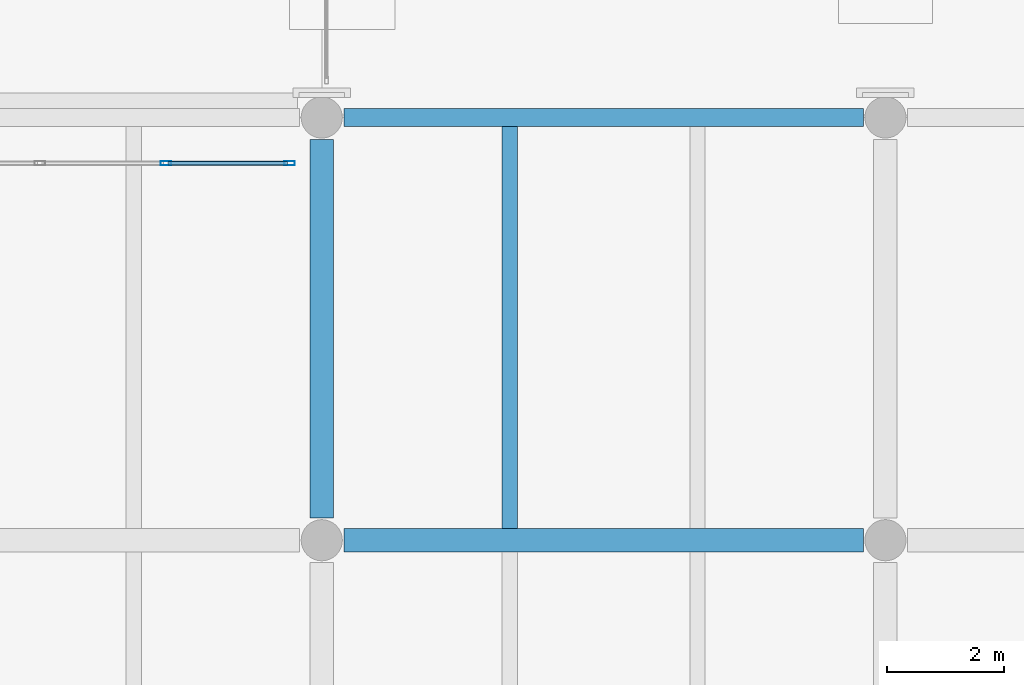
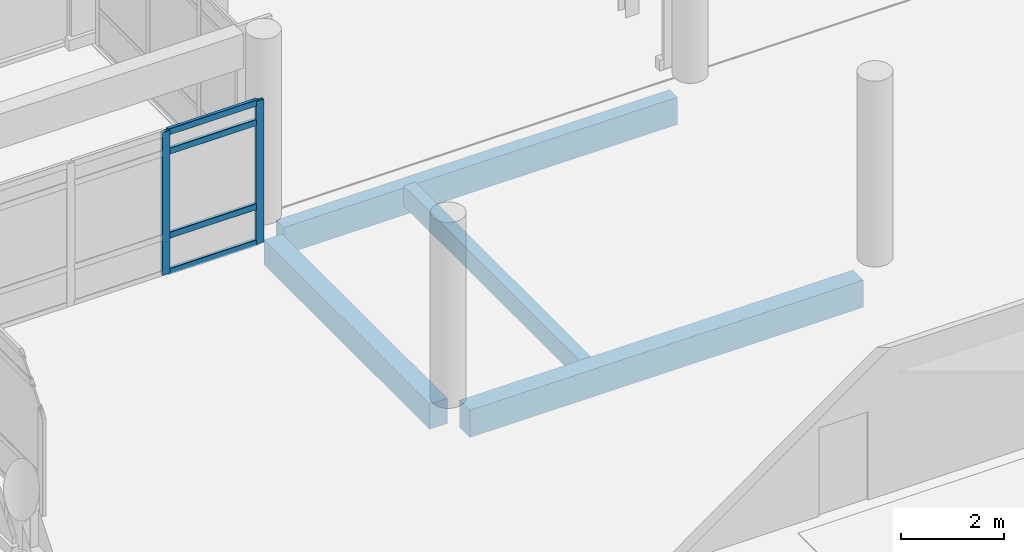
# One storey, part 55 of 196: 6 members, 4 beams, 1 element without a shape of its own.
"""IFC4 building model written with IfcOpenShell, lengths in metres."""

import ifcopenshell
import ifcopenshell.guid

model = None  # the IFC model being written
_history = None  # IfcOwnerHistory: only IFC2X3 demands one
_inside = {}  # id of a spatial element -> (the spatial element, [elements in it])
_under = {}  # id of a project, library or spatial element -> (it, [spatial elements below it])
_declared = {}  # id of a project -> (the project, [libraries it declares])
_typed = {}  # id of a type object -> (the type object, [elements of that type])
_made_of = {}  # id of a material, layer set ... -> (it, [elements and type objects made of it])


def new_model(schema):
    """Start an empty IFC model of exactly this schema.

    Asked for "IFC4X3", IfcOpenShell would pick the latest addendum, in which some entities
    have other attributes; the version numbers below select the first issue.
    IFC2X3 requires an IfcOwnerHistory on every rooted entity: one is made here for all.
    """
    global model, _history
    if schema == "IFC4X3":
        model = ifcopenshell.file(schema_version=(4, 3, 0, 0))
    else:
        model = ifcopenshell.file(schema=schema)
    _inside.clear()
    _under.clear()
    _declared.clear()
    _typed.clear()
    _made_of.clear()
    _history = None
    if model.schema == "IFC2X3":
        org = make("IfcOrganization", Name="unknown")
        user = make(
            "IfcPersonAndOrganization",
            ThePerson=make("IfcPerson", FamilyName="unknown"),
            TheOrganization=org,
        )
        app = make(
            "IfcApplication",
            ApplicationDeveloper=org,
            Version="unknown",
            ApplicationFullName="unknown",
            ApplicationIdentifier="unknown",
        )
        _history = make(
            "IfcOwnerHistory",
            OwningUser=user,
            OwningApplication=app,
            ChangeAction="ADDED",
            CreationDate=0,
        )
    return model


def make(cls, **values):
    """One entity of the class cls with the attributes given. An attribute that is None is left unset."""
    return model.create_entity(
        cls, **{name: value for name, value in values.items() if value is not None}
    )


def rooted(cls, **values):
    """An entity with a GlobalId (a new one), such as an element, a storey or a relation."""
    return make(cls, GlobalId=ifcopenshell.guid.new(), OwnerHistory=_history, **values)


def si_unit(unit_type, name, prefix=None):
    """IfcSIUnit, for example si_unit("LENGTHUNIT", "METRE", prefix="MILLI")."""
    return make("IfcSIUnit", UnitType=unit_type, Prefix=prefix, Name=name)


def assignment(units):
    """IfcUnitAssignment: the units of a project."""
    return None if units is None else make("IfcUnitAssignment", Units=units)


def point(xyz):
    """IfcCartesianPoint."""
    return None if xyz is None else make("IfcCartesianPoint", Coordinates=xyz)


def direction(xyz):
    """IfcDirection."""
    return None if xyz is None else make("IfcDirection", DirectionRatios=xyz)


def frame(location, z_axis=None, x_axis=None):
    """IfcAxis2Placement3D, a coordinate frame: its origin and axes. An axis left out is left unset."""
    return make(
        "IfcAxis2Placement3D",
        Location=point(location),
        Axis=direction(z_axis),
        RefDirection=direction(x_axis),
    )


def frame_2d(location, x_axis=None):
    """IfcAxis2Placement2D, a coordinate frame in the plane: its origin and x axis."""
    return make(
        "IfcAxis2Placement2D", Location=point(location), RefDirection=direction(x_axis)
    )


def origin():
    """The frame at (0, 0, 0) with its axes left unset."""
    return frame((0.0, 0.0, 0.0))


def origin_2d():
    """The frame at (0, 0) in the plane with its x axis left unset."""
    return frame_2d((0.0, 0.0))


def place(relative_to, where):
    """IfcLocalPlacement: puts the frame where relative to a parent placement (None: the world)."""
    return make(
        "IfcLocalPlacement", PlacementRelTo=relative_to, RelativePlacement=where
    )


def context(
    kind, dimensions, precision=None, world=None, true_north=None, identifier=None
):
    """IfcGeometricRepresentationContext, for example the 3D "Model" context."""
    return make(
        "IfcGeometricRepresentationContext",
        ContextIdentifier=identifier,
        ContextType=kind,
        CoordinateSpaceDimension=dimensions,
        Precision=precision,
        WorldCoordinateSystem=world,
        TrueNorth=true_north,
    )


def subcontext(parent, identifier, kind, view, scale=None):
    """IfcGeometricRepresentationSubContext, for example "Body" below "Model"."""
    return make(
        "IfcGeometricRepresentationSubContext",
        ContextIdentifier=identifier,
        ContextType=kind,
        ParentContext=parent,
        TargetScale=scale,
        TargetView=view,
    )


def project(units=None, contexts=None):
    """IfcProject with its units and contexts."""
    return rooted(
        "IfcProject",
        Name="project",
        RepresentationContexts=contexts,
        UnitsInContext=assignment(units),
    )


def spatial(cls, under=None, at=None, **own):
    """A site, building, storey or space (cls), placed at a placement, below another one or the project."""
    s = rooted(cls, ObjectPlacement=at, **own)
    if under is not None:
        _under.setdefault(under.id(), (under, []))[1].append(s)
    return s


def profile(cls, at=None, kind="AREA", **sizes):
    """A parametric profile (cls). Its sizes go by their IFC names, for example OverallWidth=200.0."""
    return make(cls, ProfileType=kind, Position=at, **sizes)


def rectangle(**sizes):
    """IfcRectangleProfileDef."""
    return profile("IfcRectangleProfileDef", **sizes)


def hollow_rectangle(**sizes):
    """IfcRectangleHollowProfileDef."""
    return profile("IfcRectangleHollowProfileDef", **sizes)


def extrude(swept, where, along, depth):
    """IfcExtrudedAreaSolid: the profile swept, set in the frame where, extruded along a direction by depth."""
    return make(
        "IfcExtrudedAreaSolid",
        SweptArea=swept,
        Position=where,
        ExtrudedDirection=direction(along),
        Depth=depth,
    )


def shape(context_of_items, identifier, shape_type, items):
    """IfcShapeRepresentation: the items that make up one representation, for example the "Body"."""
    return make(
        "IfcShapeRepresentation",
        ContextOfItems=context_of_items,
        RepresentationIdentifier=identifier,
        RepresentationType=shape_type,
        Items=items,
    )


def material(Name=None, Category=None):
    """IfcMaterial."""
    return make("IfcMaterial", Name=Name, Category=Category)


def layer(
    of_material, thickness, ventilated=None, Name=None, Category=None, Priority=None
):
    """IfcMaterialLayer: one layer of a wall or slab, of a material (None: an air gap)."""
    return make(
        "IfcMaterialLayer",
        Material=of_material,
        LayerThickness=thickness,
        IsVentilated=ventilated,
        Name=Name,
        Category=Category,
        Priority=Priority,
    )


def layer_set(layers, Name=None):
    """IfcMaterialLayerSet."""
    return make("IfcMaterialLayerSet", MaterialLayers=layers, LayerSetName=Name)


def material_profile(
    of_material, cross_section, Name=None, Category=None, Priority=None
):
    """IfcMaterialProfile: a cross section and its material."""
    return make(
        "IfcMaterialProfile",
        Name=Name,
        Material=of_material,
        Profile=cross_section,
        Priority=Priority,
        Category=Category,
    )


def profile_set(profiles, Name=None, composite=None):
    """IfcMaterialProfileSet."""
    return make(
        "IfcMaterialProfileSet",
        Name=Name,
        MaterialProfiles=profiles,
        CompositeProfile=composite,
    )


def made_of(thing, what):
    """Note that an element or type object is made of a material, layer set ...; save() writes the relation."""
    if what is not None:
        _made_of.setdefault(what.id(), (what, []))[1].append(thing)
    return thing


def type_object(cls, material=None, **own):
    """A type object (cls), such as IfcWallType, which elements share."""
    return made_of(rooted(cls, **own), material)


def element(
    cls,
    number,
    at=None,
    inside=None,
    cuts=None,
    type_object=None,
    material=None,
    context=None,
    identifier="Body",
    shape_type=None,
    held_by="IfcProductDefinitionShape",
    body=None,
    shapes=None,
    **own,
):
    """One element of the class cls, such as IfcWall. Its Tag is "e" and its number.

    at: its placement. inside: the storey or other place that contains it. cuts: it is an
    opening in that element (IfcRelVoidsElement). A single representation is given by context,
    identifier, shape_type and body (its items); several are given by shapes. held_by: the class
    of the entity that holds the representations. save() writes the other relations.
    """
    e = rooted(cls, Tag="e%d" % number, ObjectPlacement=at, **own)
    if body is not None:
        shapes = [shape(context, identifier, shape_type, body)]
    if shapes is not None:
        e.Representation = make(held_by, Representations=shapes)
    if inside is not None:
        _inside.setdefault(inside.id(), (inside, []))[1].append(e)
    if cuts is not None:
        rooted(
            "IfcRelVoidsElement", RelatingBuildingElement=cuts, RelatedOpeningElement=e
        )
    if type_object is not None:
        _typed.setdefault(type_object.id(), (type_object, []))[1].append(e)
    return made_of(e, material)


def aggregate(whole, parts):
    """IfcRelAggregates: a whole, such as a stair, and the parts it consists of."""
    return rooted("IfcRelAggregates", RelatingObject=whole, RelatedObjects=parts)


def save(model, path):
    """Write the relations noted so far, then the file.

    IfcRelAggregates (storeys below a building ...), IfcRelContainedInSpatialStructure (elements
    in a storey), IfcRelDefinesByType, IfcRelAssociatesMaterial and IfcRelDeclares: one each for
    every whole, place, type object, material and project.
    """
    for whole, parts in _under.values():
        aggregate(whole, parts)
    for where, things in _inside.values():
        rooted(
            "IfcRelContainedInSpatialStructure",
            RelatedElements=things,
            RelatingStructure=where,
        )
    for kind, things in _typed.values():
        rooted("IfcRelDefinesByType", RelatedObjects=things, RelatingType=kind)
    for what, things in _made_of.values():
        rooted("IfcRelAssociatesMaterial", RelatedObjects=things, RelatingMaterial=what)
    for by, libraries in _declared.values():
        rooted("IfcRelDeclares", RelatingContext=by, RelatedDefinitions=libraries)
    model.write(path)


model = new_model("IFC4")

# Units and contexts
model_context = context("Model", 3, precision=1e-05, world=origin(), true_north=direction((0.0, 1.0)))
body_context = subcontext(model_context, "Body", "Model", "MODEL_VIEW")
ifc_project = project(units=[si_unit("LENGTHUNIT", "METRE"), si_unit("AREAUNIT", "SQUARE_METRE"), si_unit("VOLUMEUNIT", "CUBIC_METRE"), si_unit("PLANEANGLEUNIT", "RADIAN"), si_unit("MASSUNIT", "GRAM", prefix="KILO")], contexts=[model_context])

# Site, building, storey
site_placement = place(None, origin())
site = spatial("IfcSite", under=ifc_project, at=site_placement, CompositionType="ELEMENT")
building_placement = place(site_placement, origin())
building = spatial("IfcBuilding", under=site, at=building_placement, Name="Asteropetra Specialist Clinic", CompositionType="ELEMENT")
storey_placement = place(building_placement, origin())
storey = spatial("IfcBuildingStorey", under=building, at=storey_placement, Name="L00", CompositionType="ELEMENT", Elevation=0.0)

# Beams
ifc_material_1 = material(Name="Concrete C35/45", Category="concrete")
ifc_material_profile_1 = material_profile(ifc_material_1, rectangle(XDim=0.39990234375, YDim=0.60009765625, at=origin_2d()), Name="RCB 400x600")
ifc_profile_set_1 = profile_set([ifc_material_profile_1], Name="Concrete C35/45")
beam_type_1 = type_object("IfcBeamType", Name="BM-RC400x600", PredefinedType="BEAM", material=ifc_profile_set_1)
beam_1_placement = place(storey_placement, frame((9.60009765625, 55.574951171875, -0.60009765625), z_axis=(0.0, 1.0, 0.0), x_axis=(-1.0, 0.0, 0.0)))
element("IfcBeam", 1, at=beam_1_placement, inside=storey, type_object=beam_type_1, Name="Beam BBM08-0203", PredefinedType="BEAM", context=body_context, shape_type="SweptSolid", body=[
    extrude(rectangle(XDim=0.39990234375, YDim=0.60009765625, at=origin_2d()), origin(), (0.0, 0.0, 1.0), 6.449951171875),
])
ifc_material_2 = material(Name="Concrete C35/45", Category="concrete")
ifc_material_profile_2 = material_profile(ifc_material_2, rectangle(XDim=0.39990234375, YDim=0.64990234375, at=origin_2d()), Name="RCB 400x650")
ifc_profile_set_2 = profile_set([ifc_material_profile_2], Name="Concrete C35/45")
beam_type_2 = type_object("IfcBeamType", Name="BM-RC400x650", PredefinedType="BEAM", material=ifc_profile_set_2)
beam_2_placement = place(storey_placement, frame((9.97509765625, 55.199951171875, -0.625), z_axis=(1.0, 0.0, 0.0), x_axis=(0.0, 1.0, 0.0)))
element("IfcBeam", 2, at=beam_2_placement, inside=storey, type_object=beam_type_2, Name="Beam BBM07-0149", PredefinedType="BEAM", context=body_context, shape_type="SweptSolid", body=[
    extrude(rectangle(XDim=0.39990234375, YDim=0.64990234375, at=origin_2d()), origin(), (0.0, 0.0, 1.0), 8.849853515625),
])

# Curtain wall, members
ifc_material_3 = material(Name="Aluminium and low-E glass", Category="aluminium")
ifc_layer = layer(ifc_material_3, 0.135009765625)
ifc_layer_set = layer_set([ifc_layer], Name="Aluminium and low-E glass")
curtain_wall_type = type_object("IfcCurtainWallType", Name="CW-SYS-09", PredefinedType="USERDEFINED", material=ifc_layer_set)
curtain_wall_placement = place(storey_placement, origin())
curtain_wall = element("IfcCurtainWall", 3, at=curtain_wall_placement, inside=storey, type_object=curtain_wall_type, Name="Curtain Wall CW-147", ObjectType="STICK GLAZED COLONNADE", PredefinedType="USERDEFINED")
ifc_material_4 = material(Name="Aluminium 6063-T6", Category="aluminium")
ifc_material_profile_3 = material_profile(ifc_material_4, hollow_rectangle(XDim=0.074951171875, YDim=0.179931640625, WallThickness=0.00390625, InnerFilletRadius=0.00390625, OuterFilletRadius=0.008056640625, at=origin_2d()), Name="MUL 180x75x4.0")
ifc_profile_set_3 = profile_set([ifc_material_profile_3], Name="Aluminium 6063-T6")
member_type_1 = type_object("IfcMemberType", Name="CWM-180x75", PredefinedType="MULLION", material=ifc_profile_set_3)
member_1_placement = place(storey_placement, frame((9.052490234375, 61.6201171875, 0.0), z_axis=(0.0, 0.0, 1.0), x_axis=(0.0, -1.0, 0.0)))
member_1 = element("IfcMember", 4, at=member_1_placement, type_object=member_type_1, Name="CW-147 mullion 1", PredefinedType="MULLION", context=body_context, shape_type="SweptSolid", body=[
    extrude(hollow_rectangle(XDim=0.074951171875, YDim=0.179931640625, WallThickness=0.00390625, InnerFilletRadius=0.00390625, OuterFilletRadius=0.008056640625, at=origin_2d()), origin(), (0.0, 0.0, 1.0), 3.39990234375),
])
member_2_placement = place(storey_placement, frame((6.945068359375, 61.6201171875, 0.0), z_axis=(0.0, 0.0, 1.0), x_axis=(0.0, -1.0, 0.0)))
member_2 = element("IfcMember", 5, at=member_2_placement, type_object=member_type_1, Name="CW-147 mullion 2", PredefinedType="MULLION", context=body_context, shape_type="SweptSolid", body=[
    extrude(hollow_rectangle(XDim=0.074951171875, YDim=0.179931640625, WallThickness=0.00390625, InnerFilletRadius=0.00390625, OuterFilletRadius=0.008056640625, at=origin_2d()), origin(), (0.0, 0.0, 1.0), 3.39990234375),
])
ifc_material_5 = material(Name="Aluminium 6063-T6", Category="aluminium")
ifc_material_profile_4 = material_profile(ifc_material_5, hollow_rectangle(XDim=0.074951171875, YDim=0.14990234375, WallThickness=0.00390625, InnerFilletRadius=0.00390625, OuterFilletRadius=0.008056640625, at=origin_2d()), Name="TRN 150x75x4.0")
ifc_profile_set_4 = profile_set([ifc_material_profile_4], Name="Aluminium 6063-T6")
member_type_2 = type_object("IfcMemberType", Name="CWT-150x75", PredefinedType="USERDEFINED", material=ifc_profile_set_4)
member_3_placement = place(storey_placement, frame((9.014892578125, 61.6201171875, 0.03759765625), z_axis=(-1.0, 0.0, 0.0), x_axis=(0.0, -1.0, 0.0)))
member_3 = element("IfcMember", 6, at=member_3_placement, type_object=member_type_2, Name="CW-147 transom 1.1", ObjectType="TRANSOM", PredefinedType="USERDEFINED", context=body_context, shape_type="SweptSolid", body=[
    extrude(hollow_rectangle(XDim=0.074951171875, YDim=0.14990234375, WallThickness=0.00390625, InnerFilletRadius=0.00390625, OuterFilletRadius=0.008056640625, at=origin_2d()), origin(), (0.0, 0.0, 1.0), 2.032470703125),
])
member_4_placement = place(storey_placement, frame((9.014892578125, 61.6201171875, 0.89990234375), z_axis=(-1.0, 0.0, 0.0), x_axis=(0.0, -1.0, 0.0)))
member_4 = element("IfcMember", 7, at=member_4_placement, type_object=member_type_2, Name="CW-147 transom 1.2", ObjectType="TRANSOM", PredefinedType="USERDEFINED", context=body_context, shape_type="SweptSolid", body=[
    extrude(hollow_rectangle(XDim=0.074951171875, YDim=0.14990234375, WallThickness=0.00390625, InnerFilletRadius=0.00390625, OuterFilletRadius=0.008056640625, at=origin_2d()), origin(), (0.0, 0.0, 1.0), 2.032470703125),
])
member_5_placement = place(storey_placement, frame((9.014892578125, 61.6201171875, 2.89990234375), z_axis=(-1.0, 0.0, 0.0), x_axis=(0.0, -1.0, 0.0)))
member_5 = element("IfcMember", 8, at=member_5_placement, type_object=member_type_2, Name="CW-147 transom 1.3", ObjectType="TRANSOM", PredefinedType="USERDEFINED", context=body_context, shape_type="SweptSolid", body=[
    extrude(hollow_rectangle(XDim=0.074951171875, YDim=0.14990234375, WallThickness=0.00390625, InnerFilletRadius=0.00390625, OuterFilletRadius=0.008056640625, at=origin_2d()), origin(), (0.0, 0.0, 1.0), 2.032470703125),
])
member_6_placement = place(storey_placement, frame((9.014892578125, 61.6201171875, 3.362548828125), z_axis=(-1.0, 0.0, 0.0), x_axis=(0.0, -1.0, 0.0)))
member_6 = element("IfcMember", 9, at=member_6_placement, type_object=member_type_2, Name="CW-147 transom 1.4", ObjectType="TRANSOM", PredefinedType="USERDEFINED", context=body_context, shape_type="SweptSolid", body=[
    extrude(hollow_rectangle(XDim=0.074951171875, YDim=0.14990234375, WallThickness=0.00390625, InnerFilletRadius=0.00390625, OuterFilletRadius=0.008056640625, at=origin_2d()), origin(), (0.0, 0.0, 1.0), 2.032470703125),
])
aggregate(curtain_wall, [member_1, member_2, member_3, member_4, member_5, member_6])

# Beams
ifc_material_6 = material(Name="Concrete C35/45", Category="concrete")
ifc_material_profile_5 = material_profile(ifc_material_6, rectangle(XDim=0.260009765625, YDim=0.47998046875, at=origin_2d()), Name="RCJ 260x480")
ifc_profile_set_5 = profile_set([ifc_material_profile_5], Name="Concrete C35/45")
beam_type_3 = type_object("IfcBeamType", Name="JST-RC260x480", PredefinedType="JOIST", material=ifc_profile_set_5)
beam_3_placement = place(storey_placement, frame((12.800048828125, 55.39990234375, -0.5400390625), z_axis=(0.0, 1.0, 0.0), x_axis=(-1.0, 0.0, 0.0)))
element("IfcBeam", 10, at=beam_3_placement, inside=storey, type_object=beam_type_3, Name="Joist JJST02-0209", PredefinedType="JOIST", context=body_context, shape_type="SweptSolid", body=[
    extrude(rectangle(XDim=0.260009765625, YDim=0.47998046875, at=origin_2d()), origin(), (0.0, 0.0, 1.0), 6.85009765625),
])
ifc_material_7 = material(Name="Concrete C35/45", Category="concrete")
ifc_material_profile_6 = material_profile(ifc_material_7, rectangle(XDim=0.300048828125, YDim=0.64990234375, at=origin_2d()), Name="RCS 300x650")
ifc_profile_set_6 = profile_set([ifc_material_profile_6], Name="Concrete C35/45")
beam_type_4 = type_object("IfcBeamType", Name="SPN-RC300x650", PredefinedType="SPANDREL", material=ifc_profile_set_6)
beam_4_placement = place(storey_placement, frame((9.97509765625, 62.39990234375, -0.675048828125), z_axis=(1.0, 0.0, 0.0), x_axis=(0.0, 1.0, 0.0)))
element("IfcBeam", 11, at=beam_4_placement, inside=storey, type_object=beam_type_4, Name="Beam BSPN03-0154", PredefinedType="SPANDREL", context=body_context, shape_type="SweptSolid", body=[
    extrude(rectangle(XDim=0.300048828125, YDim=0.64990234375, at=origin_2d()), origin(), (0.0, 0.0, 1.0), 8.849853515625),
])

save(model, "model.ifc")
